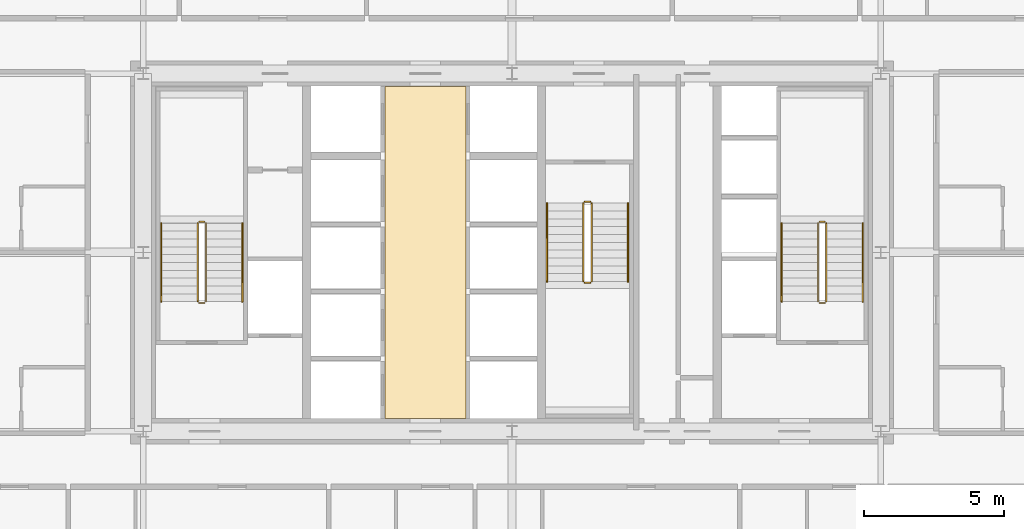
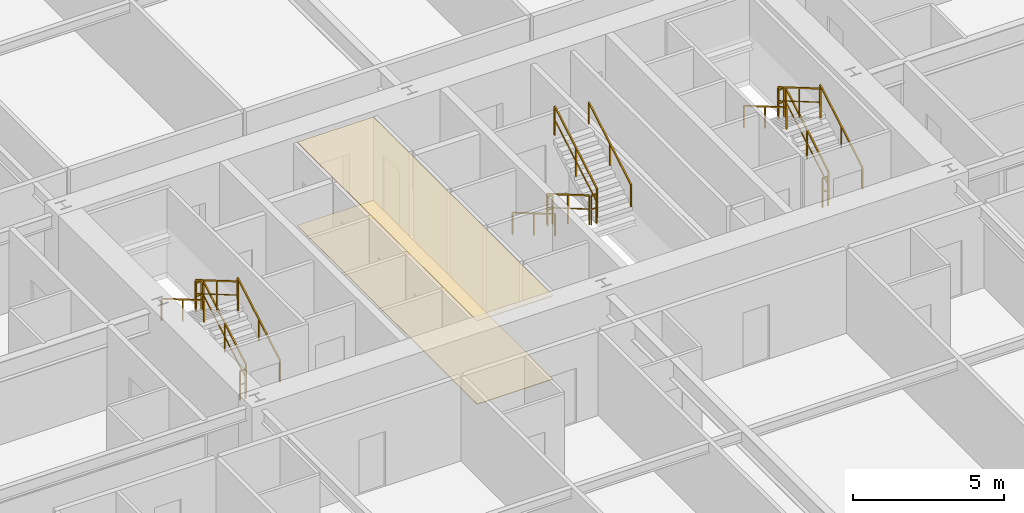
# One storey, part 43 of 43: 18 railings, 2 coverings.
"""IFC4 building model written with IfcOpenShell, lengths in metres."""

from ifc_helpers import new_model, si_unit, direction, frame, origin, origin_2d, place, context, subcontext, project, spatial, polyline, rectangle, outline, extrude, source, transform, mapped, material, layer, layer_set, type_object, element, save


model = new_model("IFC4")

# Units and contexts
model_context = context("Model", 3, precision=1e-05, world=origin(), true_north=direction((0.0, 1.0)))
body_context = subcontext(model_context, "Body", "Model", "MODEL_VIEW")
ifc_project = project(units=[si_unit("LENGTHUNIT", "METRE"), si_unit("AREAUNIT", "SQUARE_METRE"), si_unit("VOLUMEUNIT", "CUBIC_METRE"), si_unit("PLANEANGLEUNIT", "RADIAN"), si_unit("MASSUNIT", "GRAM", prefix="KILO"), si_unit("THERMODYNAMICTEMPERATUREUNIT", "KELVIN"), si_unit("POWERUNIT", "WATT")], contexts=[model_context])

# Site, building, storey
site_placement = place(None, origin())
site = spatial("IfcSite", under=ifc_project, at=site_placement, CompositionType="ELEMENT")
building_placement = place(site_placement, origin())
building = spatial("IfcBuilding", under=site, at=building_placement, Name="Yuzanri Waterfront Tower", CompositionType="ELEMENT")
storey_placement = place(building_placement, frame((0.0, 0.0, 60.39990234375)))
storey = spatial("IfcBuildingStorey", under=building, at=storey_placement, Name="L15", CompositionType="ELEMENT", Elevation=60.39990234375)

# Coverings
ifc_material_1 = material(Name="Engineered Smoked-Oak Timber", Category="wood")
ifc_layer_1 = layer(ifc_material_1, 0.02197265625)
ifc_layer_set_1 = layer_set([ifc_layer_1], Name="Engineered Smoked-Oak Timber")
covering_type_1 = type_object("IfcCoveringType", Name="Engineered Smoked-Oak Residence Flooring 22", PredefinedType="FLOORING", material=ifc_layer_set_1)
covering_1_placement = place(storey_placement, origin())
element("IfcCovering", 1, at=covering_1_placement, inside=storey, type_object=covering_type_1, Name="L15 Smoked-Oak Floor Finish", PredefinedType="FLOORING", context=body_context, shape_type="SweptSolid", body=[
    extrude(outline(polyline([(32.449951171875, 19.860107421875), (35.35009765625, 19.860107421875), (35.35009765625, 31.739990234375), (32.449951171875, 31.739990234375), (32.449951171875, 19.860107421875)])), origin(), (0.0, 0.0, 1.0), 0.022216796875),
])
ifc_material_2 = material(Name="Acoustic Mineral-Fibre Ceiling Board", Category="gypsum")
ifc_layer_2 = layer(ifc_material_2, 0.02490234375)
ifc_layer_set_2 = layer_set([ifc_layer_2], Name="Acoustic Mineral-Fibre Ceiling Board")
covering_type_2 = type_object("IfcCoveringType", Name="Perforated Mineral-Fibre Acoustic Ceiling Tile 25", PredefinedType="CEILING", material=ifc_layer_set_2)
covering_2_placement = place(storey_placement, frame((0.0, 0.0, 3.35498046875)))
element("IfcCovering", 2, at=covering_2_placement, inside=storey, type_object=covering_type_2, Name="L15 Acoustic Mineral-Fibre Ceiling", PredefinedType="CEILING", context=body_context, shape_type="SweptSolid", body=[
    extrude(outline(polyline([(32.449951171875, 19.860107421875), (35.35009765625, 19.860107421875), (35.35009765625, 31.739990234375), (32.449951171875, 31.739990234375), (32.449951171875, 19.860107421875)])), origin(), (0.0, 0.0, 1.0), 0.025146484375),
])

# Railings
ifc_material_3 = material(Name="Painted Galvanized Fire Steel", Category="steel")
ifc_layer_3 = layer(ifc_material_3, 0.06005859375)
ifc_layer_set_3 = layer_set([ifc_layer_3], Name="Painted Galvanized Fire Steel")
railing_type_1 = type_object("IfcRailingType", Name="Painted Steel Stairwell Guardrail 1120", PredefinedType="GUARDRAIL", material=ifc_layer_set_3)
shared_shape_1 = source(origin(), body_context, "Body", "SweptSolid", [
    extrude(rectangle(XDim=0.050048828125, YDim=0.050048828125, at=origin_2d()), frame((0.0, 0.0, 1.1748046875), z_axis=(-1.0, 0.0, 0.0), x_axis=(0.0, -1.0, 0.0)), (0.0, 0.0, 1.0), 0.199951171875),
    extrude(rectangle(XDim=0.035888671875, YDim=0.030029296875, at=origin_2d()), frame((0.0, 0.0, 0.6240234375), z_axis=(-1.0, 0.0, 0.0), x_axis=(0.0, -1.0, 0.0)), (0.0, 0.0, 1.0), 0.199951171875),
    extrude(rectangle(XDim=0.0458984375, YDim=0.0458984375, at=origin_2d()), origin(), (0.0, 0.0, 1.0), 1.14990234375),
    extrude(rectangle(XDim=0.0458984375, YDim=0.0458984375, at=origin_2d()), frame((-0.199951171875, 0.0, 0.0)), (0.0, 0.0, 1.0), 1.14990234375),
])
for number, where, name in (
    (3, (26.0, 26.889892578125, 1.800048828125), "L15 ST-01 stair guard 2"),
    (4, (26.0, 23.989990234375, 0.0), "L15 ST-01 stair guard 4"),
    (5, (48.199951171875, 26.889892578125, 1.800048828125), "L15 ST-02 stair guard 2"),
    (6, (48.199951171875, 23.989990234375, 0.0), "L15 ST-02 stair guard 4"),
):
    element("IfcRailing", number, at=place(storey_placement, frame(where)), inside=storey, type_object=railing_type_1, Name=name, PredefinedType="GUARDRAIL", context=body_context, shape_type="MappedRepresentation", body=[
        mapped(shared_shape_1, transform((0.0, 0.0, 0.0), scale=1.0)),
    ])
shared_shape_2 = source(origin(), body_context, "Body", "SweptSolid", [
    extrude(rectangle(XDim=0.050048828125, YDim=0.050048828125, at=origin_2d()), frame((0.0, 0.0, 1.1748046875), z_axis=(0.0, 0.863393664356, 0.504530851732), x_axis=(-1.0, 0.0, 0.0)), (0.0, 0.0, 1.0), 3.2431640625),
    extrude(rectangle(XDim=0.035888671875, YDim=0.030029296875, at=origin_2d()), frame((0.0, 0.0, 0.6240234375), z_axis=(0.0, 0.863393664356, 0.504530851732), x_axis=(-1.0, 0.0, 0.0)), (0.0, 0.0, 1.0), 3.2431640625),
    extrude(rectangle(XDim=0.0458984375, YDim=0.0458984375, at=origin_2d()), origin(), (0.0, 0.0, 1.0), 1.14990234375),
    extrude(rectangle(XDim=0.0458984375, YDim=0.0458984375, at=origin_2d()), frame((0.0, 1.39990234375, 0.818115234375)), (0.0, 0.0, 1.0), 1.14990234375),
    extrude(rectangle(XDim=0.0458984375, YDim=0.0458984375, at=origin_2d()), frame((0.0, 2.800048828125, 1.63623046875)), (0.0, 0.0, 1.0), 1.14990234375),
])
for number, where, name in (
    (7, (26.050048828125, 24.0400390625, 0.163818359375), "L15 ST-01 stair guard 1"),
    (8, (48.25, 24.0400390625, 0.163818359375), "L15 ST-02 stair guard 1"),
):
    element("IfcRailing", number, at=place(storey_placement, frame(where)), inside=storey, type_object=railing_type_1, Name=name, PredefinedType="GUARDRAIL", context=body_context, shape_type="MappedRepresentation", body=[
        mapped(shared_shape_2, transform((0.0, 0.0, 0.0), scale=1.0)),
    ])
shared_shape_3 = source(origin(), body_context, "Body", "SweptSolid", [
    extrude(rectangle(XDim=0.050048828125, YDim=0.050048828125, at=origin_2d()), frame((0.0, 0.0, 1.1748046875), z_axis=(0.0, -0.863393664356, 0.504530851732), x_axis=(1.0, 0.0, 0.0)), (0.0, 0.0, 1.0), 3.2431640625),
    extrude(rectangle(XDim=0.035888671875, YDim=0.030029296875, at=origin_2d()), frame((0.0, 0.0, 0.6240234375), z_axis=(0.0, -0.863393664356, 0.504530851732), x_axis=(1.0, 0.0, 0.0)), (0.0, 0.0, 1.0), 3.2431640625),
    extrude(rectangle(XDim=0.0458984375, YDim=0.0458984375, at=origin_2d()), origin(), (0.0, 0.0, 1.0), 1.14990234375),
    extrude(rectangle(XDim=0.0458984375, YDim=0.0458984375, at=origin_2d()), frame((0.0, -1.39990234375, 0.818115234375)), (0.0, 0.0, 1.0), 1.14990234375),
    extrude(rectangle(XDim=0.0458984375, YDim=0.0458984375, at=origin_2d()), frame((0.0, -2.800048828125, 1.63623046875)), (0.0, 0.0, 1.0), 1.14990234375),
])
railing_1_placement = place(storey_placement, frame((39.550048828125, 27.56005859375, 0.163818359375)))
element("IfcRailing", 9, at=railing_1_placement, inside=storey, type_object=railing_type_1, Name="L15 ST-03 stair guard 1", PredefinedType="GUARDRAIL", context=body_context, shape_type="MappedRepresentation", body=[
    mapped(shared_shape_3, transform((0.0, 0.0, 0.0), scale=1.0)),
])
ifc_material_4 = material(Name="Anodized Architectural Bronze", Category="metal")
ifc_layer_4 = layer(ifc_material_4, 0.050048828125)
ifc_layer_set_4 = layer_set([ifc_layer_4], Name="Anodized Architectural Bronze")
railing_type_2 = type_object("IfcRailingType", Name="Brushed Bronze Stair Pitch Handrail 920", PredefinedType="HANDRAIL", material=ifc_layer_set_4)
shared_shape_4 = source(origin(), body_context, "Body", "SweptSolid", [
    extrude(rectangle(XDim=0.050048828125, YDim=0.050048828125, at=origin_2d()), frame((0.0, 0.0, 0.875), z_axis=(0.0, 0.863393664356, 0.504530851732), x_axis=(-1.0, 0.0, 0.0)), (0.0, 0.0, 1.0), 3.2431640625),
    extrude(rectangle(XDim=0.0458984375, YDim=0.0458984375, at=origin_2d()), origin(), (0.0, 0.0, 1.0), 0.849853515625),
    extrude(rectangle(XDim=0.0458984375, YDim=0.0458984375, at=origin_2d()), frame((0.0, 1.39990234375, 0.818115234375)), (0.0, 0.0, 1.0), 0.849853515625),
    extrude(rectangle(XDim=0.0458984375, YDim=0.0458984375, at=origin_2d()), frame((0.0, 2.800048828125, 1.63623046875)), (0.0, 0.0, 1.0), 0.849853515625),
])
for number, where, name in (
    (10, (27.35009765625, 24.0400390625, 0.163818359375), "L15 ST-01 stair handrail 1"),
    (11, (49.550048828125, 24.0400390625, 0.163818359375), "L15 ST-02 stair handrail 1"),
):
    element("IfcRailing", number, at=place(storey_placement, frame(where)), inside=storey, type_object=railing_type_2, Name=name, PredefinedType="HANDRAIL", context=body_context, shape_type="MappedRepresentation", body=[
        mapped(shared_shape_4, transform((0.0, 0.0, 0.0), scale=1.0)),
    ])
shared_shape_5 = source(origin(), body_context, "Body", "SweptSolid", [
    extrude(rectangle(XDim=0.050048828125, YDim=0.050048828125, at=origin_2d()), frame((0.0, 0.0, 0.875), z_axis=(0.0, -0.863393664356, 0.504530851732), x_axis=(1.0, 0.0, 0.0)), (0.0, 0.0, 1.0), 3.2431640625),
    extrude(rectangle(XDim=0.0458984375, YDim=0.0458984375, at=origin_2d()), origin(), (0.0, 0.0, 1.0), 0.849853515625),
    extrude(rectangle(XDim=0.0458984375, YDim=0.0458984375, at=origin_2d()), frame((0.0, -1.39990234375, 0.818115234375)), (0.0, 0.0, 1.0), 0.849853515625),
    extrude(rectangle(XDim=0.0458984375, YDim=0.0458984375, at=origin_2d()), frame((0.0, -2.800048828125, 1.63623046875)), (0.0, 0.0, 1.0), 0.849853515625),
])
railing_2_placement = place(storey_placement, frame((38.25, 27.56005859375, 0.163818359375)))
element("IfcRailing", 12, at=railing_2_placement, inside=storey, type_object=railing_type_2, Name="L15 ST-03 stair handrail 1", PredefinedType="HANDRAIL", context=body_context, shape_type="MappedRepresentation", body=[
    mapped(shared_shape_5, transform((0.0, 0.0, 0.0), scale=1.0)),
])
shared_shape_6 = source(origin(), body_context, "Body", "SweptSolid", [
    extrude(rectangle(XDim=0.050048828125, YDim=0.050048828125, at=origin_2d()), frame((0.0, 0.0, 1.1748046875), z_axis=(0.0, 0.863360870873, 0.504586966384), x_axis=(-1.0, 0.0, 0.0)), (0.0, 0.0, 1.0), 3.2431640625),
    extrude(rectangle(XDim=0.035888671875, YDim=0.030029296875, at=origin_2d()), frame((0.0, 0.0, 0.6240234375), z_axis=(0.0, 0.863360870873, 0.504586966384), x_axis=(-1.0, 0.0, 0.0)), (0.0, 0.0, 1.0), 3.2431640625),
    extrude(rectangle(XDim=0.0458984375, YDim=0.0458984375, at=origin_2d()), origin(), (0.0, 0.0, 1.0), 1.14990234375),
    extrude(rectangle(XDim=0.0458984375, YDim=0.0458984375, at=origin_2d()), frame((0.0, 1.39990234375, 0.818359375)), (0.0, 0.0, 1.0), 1.14990234375),
    extrude(rectangle(XDim=0.0458984375, YDim=0.0458984375, at=origin_2d()), frame((0.0, 2.800048828125, 1.636474609375)), (0.0, 0.0, 1.0), 1.14990234375),
])
railing_3_placement = place(storey_placement, frame((39.85009765625, 24.760009765625, 1.963623046875)))
element("IfcRailing", 13, at=railing_3_placement, inside=storey, type_object=railing_type_1, Name="L15 ST-03 stair guard 3", PredefinedType="GUARDRAIL", context=body_context, shape_type="MappedRepresentation", body=[
    mapped(shared_shape_6, transform((0.0, 0.0, 0.0), scale=1.0)),
])
shared_shape_7 = source(origin(), body_context, "Body", "SweptSolid", [
    extrude(rectangle(XDim=0.050048828125, YDim=0.050048828125, at=origin_2d()), frame((0.0, 0.0, 1.1748046875), z_axis=(0.0, -0.863360870873, 0.504586966384), x_axis=(1.0, 0.0, 0.0)), (0.0, 0.0, 1.0), 3.2431640625),
    extrude(rectangle(XDim=0.035888671875, YDim=0.030029296875, at=origin_2d()), frame((0.0, 0.0, 0.6240234375), z_axis=(0.0, -0.863360870873, 0.504586966384), x_axis=(1.0, 0.0, 0.0)), (0.0, 0.0, 1.0), 3.2431640625),
    extrude(rectangle(XDim=0.0458984375, YDim=0.0458984375, at=origin_2d()), origin(), (0.0, 0.0, 1.0), 1.14990234375),
    extrude(rectangle(XDim=0.0458984375, YDim=0.0458984375, at=origin_2d()), frame((0.0, -1.39990234375, 0.818359375)), (0.0, 0.0, 1.0), 1.14990234375),
    extrude(rectangle(XDim=0.0458984375, YDim=0.0458984375, at=origin_2d()), frame((0.0, -2.800048828125, 1.636474609375)), (0.0, 0.0, 1.0), 1.14990234375),
])
for number, where, name in (
    (14, (25.75, 26.840087890625, 1.963623046875), "L15 ST-01 stair guard 3"),
    (15, (47.949951171875, 26.840087890625, 1.963623046875), "L15 ST-02 stair guard 3"),
):
    element("IfcRailing", number, at=place(storey_placement, frame(where)), inside=storey, type_object=railing_type_1, Name=name, PredefinedType="GUARDRAIL", context=body_context, shape_type="MappedRepresentation", body=[
        mapped(shared_shape_7, transform((0.0, 0.0, 0.0), scale=1.0)),
    ])
shared_shape_8 = source(origin(), body_context, "Body", "SweptSolid", [
    extrude(rectangle(XDim=0.050048828125, YDim=0.050048828125, at=origin_2d()), frame((0.0, 0.0, 0.875), z_axis=(0.0, 0.863360870873, 0.504586966384), x_axis=(-1.0, 0.0, 0.0)), (0.0, 0.0, 1.0), 3.2431640625),
    extrude(rectangle(XDim=0.0458984375, YDim=0.0458984375, at=origin_2d()), origin(), (0.0, 0.0, 1.0), 0.849853515625),
    extrude(rectangle(XDim=0.0458984375, YDim=0.0458984375, at=origin_2d()), frame((0.0, 1.39990234375, 0.818359375)), (0.0, 0.0, 1.0), 0.849853515625),
    extrude(rectangle(XDim=0.0458984375, YDim=0.0458984375, at=origin_2d()), frame((0.0, 2.800048828125, 1.636474609375)), (0.0, 0.0, 1.0), 0.849853515625),
])
railing_4_placement = place(storey_placement, frame((41.14990234375, 24.760009765625, 1.963623046875)))
element("IfcRailing", 16, at=railing_4_placement, inside=storey, type_object=railing_type_2, Name="L15 ST-03 stair handrail 2", PredefinedType="HANDRAIL", context=body_context, shape_type="MappedRepresentation", body=[
    mapped(shared_shape_8, transform((0.0, 0.0, 0.0), scale=1.0)),
])
shared_shape_9 = source(origin(), body_context, "Body", "SweptSolid", [
    extrude(rectangle(XDim=0.050048828125, YDim=0.050048828125, at=origin_2d()), frame((0.0, 0.0, 0.875), z_axis=(0.0, -0.863360870873, 0.504586966384), x_axis=(1.0, 0.0, 0.0)), (0.0, 0.0, 1.0), 3.2431640625),
    extrude(rectangle(XDim=0.0458984375, YDim=0.0458984375, at=origin_2d()), origin(), (0.0, 0.0, 1.0), 0.849853515625),
    extrude(rectangle(XDim=0.0458984375, YDim=0.0458984375, at=origin_2d()), frame((0.0, -1.39990234375, 0.818359375)), (0.0, 0.0, 1.0), 0.849853515625),
    extrude(rectangle(XDim=0.0458984375, YDim=0.0458984375, at=origin_2d()), frame((0.0, -2.800048828125, 1.636474609375)), (0.0, 0.0, 1.0), 0.849853515625),
])
for number, where, name in (
    (17, (24.449951171875, 26.840087890625, 1.963623046875), "L15 ST-01 stair handrail 2"),
    (18, (46.64990234375, 26.840087890625, 1.963623046875), "L15 ST-02 stair handrail 2"),
):
    element("IfcRailing", number, at=place(storey_placement, frame(where)), inside=storey, type_object=railing_type_2, Name=name, PredefinedType="HANDRAIL", context=body_context, shape_type="MappedRepresentation", body=[
        mapped(shared_shape_9, transform((0.0, 0.0, 0.0), scale=1.0)),
    ])
shared_shape_10 = source(origin(), body_context, "Body", "SweptSolid", [
    extrude(rectangle(XDim=0.050048828125, YDim=0.050048828125, at=origin_2d()), frame((0.0, 0.0, 1.1748046875), z_axis=(1.0, 0.0, 0.0), x_axis=(0.0, 1.0, 0.0)), (0.0, 0.0, 1.0), 0.199951171875),
    extrude(rectangle(XDim=0.035888671875, YDim=0.030029296875, at=origin_2d()), frame((0.0, 0.0, 0.6240234375), z_axis=(1.0, 0.0, 0.0), x_axis=(0.0, 1.0, 0.0)), (0.0, 0.0, 1.0), 0.199951171875),
    extrude(rectangle(XDim=0.0458984375, YDim=0.0458984375, at=origin_2d()), origin(), (0.0, 0.0, 1.0), 1.14990234375),
    extrude(rectangle(XDim=0.0458984375, YDim=0.0458984375, at=origin_2d()), frame((0.199951171875, 0.0, 0.0)), (0.0, 0.0, 1.0), 1.14990234375),
])
for number, where, name in (
    (19, (39.60009765625, 24.7099609375, 1.800048828125), "L15 ST-03 stair guard 2"),
    (20, (39.60009765625, 27.610107421875, 0.0), "L15 ST-03 stair guard 4"),
):
    element("IfcRailing", number, at=place(storey_placement, frame(where)), inside=storey, type_object=railing_type_1, Name=name, PredefinedType="GUARDRAIL", context=body_context, shape_type="MappedRepresentation", body=[
        mapped(shared_shape_10, transform((0.0, 0.0, 0.0), scale=1.0)),
    ])

save(model, "model.ifc")
